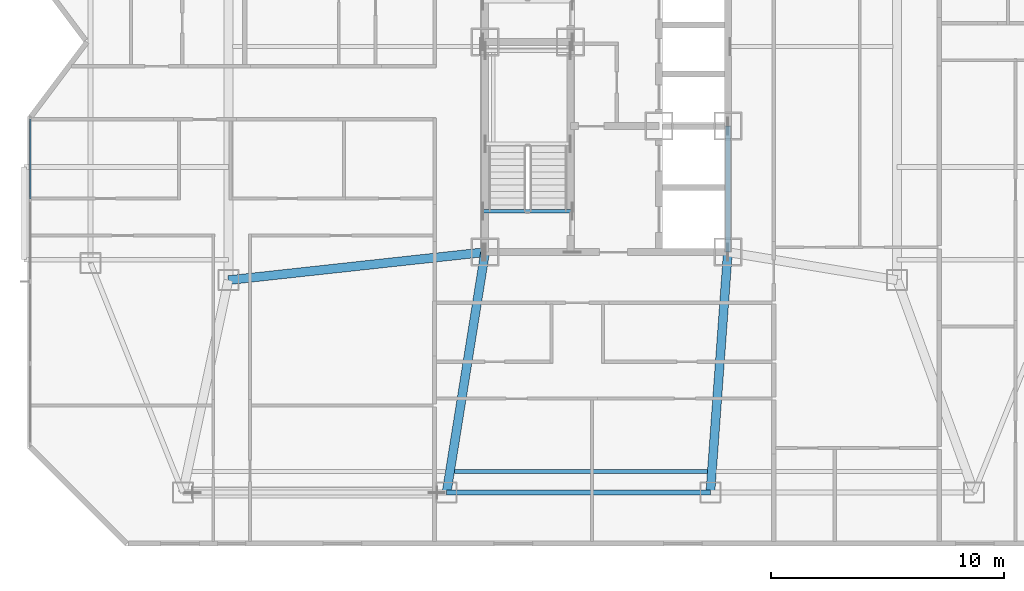
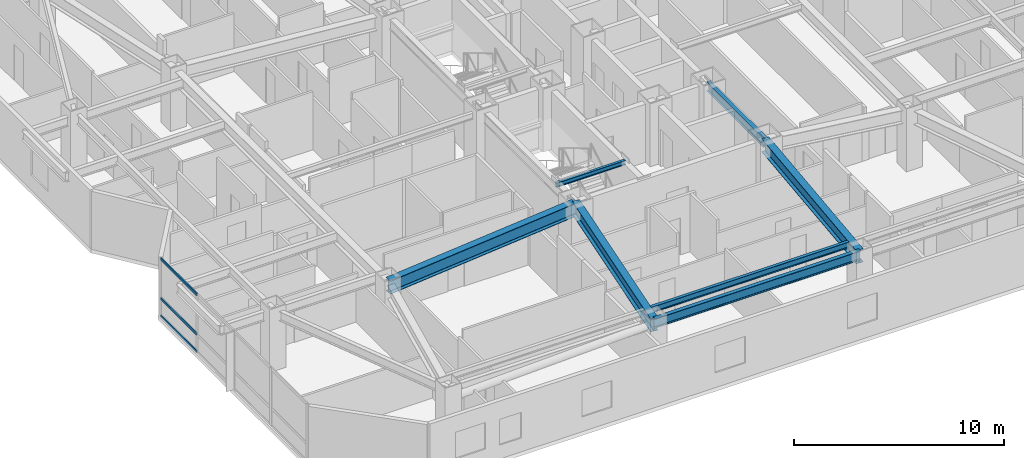
# One storey, part 5 of 17: 7 beams, 3 members, 1 element without a shape of its own.
"""IFC4 building model written with IfcOpenShell, lengths in metres."""

from ifc_helpers import new_model, si_unit, direction, frame, origin, origin_2d, place, context, subcontext, project, spatial, hollow_rectangle, i_section, extrude, material, material_profile, profile_set, type_object, element, aggregate, save


model = new_model("IFC4")

# Units and contexts
model_context = context("Model", 3, precision=1e-05, world=origin(), true_north=direction((0.0, 1.0)))
body_context = subcontext(model_context, "Body", "Model", "MODEL_VIEW")
ifc_project = project(units=[si_unit("LENGTHUNIT", "METRE"), si_unit("AREAUNIT", "SQUARE_METRE"), si_unit("VOLUMEUNIT", "CUBIC_METRE"), si_unit("PLANEANGLEUNIT", "RADIAN"), si_unit("MASSUNIT", "GRAM", prefix="KILO")], contexts=[model_context])

# Site, building, storey
site_placement = place(None, origin())
site = spatial("IfcSite", under=ifc_project, at=site_placement, CompositionType="ELEMENT")
building_placement = place(site_placement, origin())
building = spatial("IfcBuilding", under=site, at=building_placement, Name="Khamvora Tower", CompositionType="ELEMENT")
storey_placement = place(building_placement, frame((0.0, 0.0, 142.050048828125)))
storey = spatial("IfcBuildingStorey", under=building, at=storey_placement, Name="L36", CompositionType="ELEMENT", Elevation=142.050048828125)

# Beams
ifc_material_1 = material(Name="Steel S355", Category="steel")
ifc_material_profile_1 = material_profile(ifc_material_1, i_section(OverallWidth=0.1708984375, OverallDepth=0.35498046875, WebThickness=0.007080078125, FlangeThickness=0.011962890625, FilletRadius=0.010009765625, at=origin_2d()), Name="W360x51")
ifc_profile_set_1 = profile_set([ifc_material_profile_1], Name="Steel S355")
beam_type_1 = type_object("IfcBeamType", Name="BM-JS-W360x51", PredefinedType="JOIST", material=ifc_profile_set_1)
beam_1_placement = place(storey_placement, frame((27.681884765625, 9.60009765625, 3.19189453125), z_axis=(1.0, 0.0, 0.0), x_axis=(0.0, 1.0, 0.0)))
element("IfcBeam", 1, at=beam_1_placement, inside=storey, type_object=beam_type_1, Name="L36 secondary floor joist 02", PredefinedType="JOIST", context=body_context, shape_type="SweptSolid", body=[
    extrude(i_section(OverallWidth=0.1708984375, OverallDepth=0.35498046875, WebThickness=0.007080078125, FlangeThickness=0.011962890625, FilletRadius=0.010009765625, at=origin_2d()), origin(), (0.0, 0.0, 1.0), 10.84814453125),
])
ifc_material_profile_2 = material_profile(ifc_material_1, i_section(OverallWidth=0.14697265625, OverallDepth=0.261962890625, WebThickness=0.007080078125, FlangeThickness=0.010986328125, FilletRadius=0.008056640625, at=origin_2d()), Name="W250x39")
ifc_profile_set_2 = profile_set([ifc_material_profile_2], Name="Steel S355")
beam_type_2 = type_object("IfcBeamType", Name="BM-LN-W250x39", PredefinedType="LINTEL", material=ifc_profile_set_2)
beam_2_placement = place(storey_placement, frame((28.89990234375, 20.75, 3.243896484375), z_axis=(1.0, 0.0, 0.0), x_axis=(0.0, 1.0, 0.0)))
element("IfcBeam", 2, at=beam_2_placement, inside=storey, type_object=beam_type_2, Name="L36 exit stair ST-01 landing trimmer beam", PredefinedType="LINTEL", context=body_context, shape_type="SweptSolid", body=[
    extrude(i_section(OverallWidth=0.14697265625, OverallDepth=0.261962890625, WebThickness=0.007080078125, FlangeThickness=0.010986328125, FilletRadius=0.008056640625, at=origin_2d()), origin(), (0.0, 0.0, 1.0), 3.830078125),
])
ifc_material_profile_3 = material_profile(ifc_material_1, i_section(OverallWidth=0.381103515625, OverallDepth=0.77294921875, WebThickness=0.01708984375, FlangeThickness=0.027099609375, FilletRadius=0.01806640625, at=origin_2d()), Name="W760x257")
ifc_profile_set_3 = profile_set([ifc_material_profile_3], Name="Steel S355")
beam_type_3 = type_object("IfcBeamType", Name="BM-PG-W760x257", PredefinedType="BEAM", material=ifc_profile_set_3)
beam_3_placement = place(storey_placement, frame((29.0, 19.0, 2.98291015625), z_axis=(-0.158167584066, -0.987412282358, 0.0), x_axis=(0.987412282358, -0.158167584066, 0.0)))
element("IfcBeam", 3, at=beam_3_placement, inside=storey, type_object=beam_type_3, Name="L36 primary floor girder S2", PredefinedType="BEAM", context=body_context, shape_type="SweptSolid", body=[
    extrude(i_section(OverallWidth=0.381103515625, OverallDepth=0.77294921875, WebThickness=0.01708984375, FlangeThickness=0.027099609375, FilletRadius=0.01806640625, at=origin_2d()), origin(), (0.0, 0.0, 1.0), 10.431396484375),
])
beam_4_placement = place(storey_placement, frame((39.39990234375, 19.0, 2.98291015625), z_axis=(-0.07262291808, -0.997359469685, 0.0), x_axis=(0.997359469685, -0.07262291808, 0.0)))
element("IfcBeam", 4, at=beam_4_placement, inside=storey, type_object=beam_type_3, Name="L36 primary floor girder S3", PredefinedType="BEAM", context=body_context, shape_type="SweptSolid", body=[
    extrude(i_section(OverallWidth=0.381103515625, OverallDepth=0.77294921875, WebThickness=0.01708984375, FlangeThickness=0.027099609375, FilletRadius=0.01806640625, at=origin_2d()), origin(), (0.0, 0.0, 1.0), 10.327392578125),
])
beam_5_placement = place(storey_placement, frame((29.0, 19.0, 2.98291015625), z_axis=(-0.994102652327, -0.108443149329, 0.0), x_axis=(0.108443149329, -0.994102652327, 0.0)))
element("IfcBeam", 5, at=beam_5_placement, inside=storey, type_object=beam_type_3, Name="L36 primary floor girder MW1", PredefinedType="BEAM", context=body_context, shape_type="SweptSolid", body=[
    extrude(i_section(OverallWidth=0.381103515625, OverallDepth=0.77294921875, WebThickness=0.01708984375, FlangeThickness=0.027099609375, FilletRadius=0.01806640625, at=origin_2d()), origin(), (0.0, 0.0, 1.0), 11.065185546875),
])
ifc_material_profile_4 = material_profile(ifc_material_1, i_section(OverallWidth=0.2119140625, OverallDepth=0.5439453125, WebThickness=0.012939453125, FlangeThickness=0.02099609375, FilletRadius=0.013916015625, at=origin_2d()), Name="W530x123")
ifc_profile_set_4 = profile_set([ifc_material_profile_4], Name="Steel S355")
beam_type_4 = type_object("IfcBeamType", Name="BM-SP-W530x123", PredefinedType="SPANDREL", material=ifc_profile_set_4)
beam_6_placement = place(storey_placement, frame((27.35009765625, 8.699951171875, 3.097900390625), z_axis=(1.0, 0.0, 0.0), x_axis=(0.0, 1.0, 0.0)))
element("IfcBeam", 6, at=beam_6_placement, inside=storey, type_object=beam_type_4, Name="L36 perimeter spandrel beam S2-S3", PredefinedType="SPANDREL", context=body_context, shape_type="SweptSolid", body=[
    extrude(i_section(OverallWidth=0.2119140625, OverallDepth=0.5439453125, WebThickness=0.012939453125, FlangeThickness=0.02099609375, FilletRadius=0.013916015625, at=origin_2d()), origin(), (0.0, 0.0, 1.0), 11.2998046875),
])
ifc_material_profile_5 = material_profile(ifc_material_1, i_section(OverallWidth=0.208984375, OverallDepth=0.532958984375, WebThickness=0.010009765625, FlangeThickness=0.01611328125, FilletRadius=0.013916015625, at=origin_2d()), Name="W530x92")
ifc_profile_set_5 = profile_set([ifc_material_profile_5], Name="Steel S355")
beam_type_5 = type_object("IfcBeamType", Name="BM-SP-W530x92", PredefinedType="SPANDREL", material=ifc_profile_set_5)
beam_7_placement = place(storey_placement, frame((39.39990234375, 19.0, 3.10302734375), z_axis=(0.0, 1.0, 0.0), x_axis=(-1.0, 0.0, 0.0)))
element("IfcBeam", 7, at=beam_7_placement, inside=storey, type_object=beam_type_5, Name="L36 core spine girder ES", PredefinedType="SPANDREL", context=body_context, shape_type="SweptSolid", body=[
    extrude(i_section(OverallWidth=0.208984375, OverallDepth=0.532958984375, WebThickness=0.010009765625, FlangeThickness=0.01611328125, FilletRadius=0.013916015625, at=origin_2d()), origin(), (0.0, 0.0, 1.0), 5.39990234375),
])

# Curtain wall, members
ifc_material_2 = material(Name="Anodised Aluminium 6063-T6", Category="aluminium")
curtain_wall_type = type_object("IfcCurtainWallType", Name="CW-SYS-03", PredefinedType="NOTDEFINED", material=ifc_material_2)
curtain_wall_placement = place(storey_placement, origin())
curtain_wall = element("IfcCurtainWall", 8, at=curtain_wall_placement, inside=storey, type_object=curtain_wall_type, Name="L36 stick curtain wall 02.1", PredefinedType="NOTDEFINED")
ifc_material_profile_6 = material_profile(ifc_material_2, hollow_rectangle(XDim=0.06494140625, YDim=0.155029296875, WallThickness=0.0048828125, at=origin_2d()), Name="TRN65x155x5")
ifc_profile_set_6 = profile_set([ifc_material_profile_6], Name="Anodised Aluminium 6063-T6")
member_type = type_object("IfcMemberType", Name="CW-SYS-03-TRN", PredefinedType="USERDEFINED", material=ifc_profile_set_6)
member_1_placement = place(storey_placement, frame((9.510009765625, 21.283935546875, 0.032470703125), z_axis=(0.0, 1.0, 0.0), x_axis=(-1.0, 0.0, 0.0)))
member_1 = element("IfcMember", 9, at=member_1_placement, type_object=member_type, Name="CW-03 transom 4.1", ObjectType="TRANSOM", PredefinedType="USERDEFINED", context=body_context, shape_type="SweptSolid", body=[
    extrude(hollow_rectangle(XDim=0.06494140625, YDim=0.155029296875, WallThickness=0.0048828125, at=origin_2d()), origin(), (0.0, 0.0, 1.0), 3.4140625),
])
member_2_placement = place(storey_placement, frame((9.510009765625, 21.283935546875, 1.050048828125), z_axis=(0.0, 1.0, 0.0), x_axis=(-1.0, 0.0, 0.0)))
member_2 = element("IfcMember", 10, at=member_2_placement, type_object=member_type, Name="CW-03 transom 4.2", ObjectType="TRANSOM", PredefinedType="USERDEFINED", context=body_context, shape_type="SweptSolid", body=[
    extrude(hollow_rectangle(XDim=0.06494140625, YDim=0.155029296875, WallThickness=0.0048828125, at=origin_2d()), origin(), (0.0, 0.0, 1.0), 3.4140625),
])
member_3_placement = place(storey_placement, frame((9.510009765625, 21.283935546875, 3.33740234375), z_axis=(0.0, 1.0, 0.0), x_axis=(-1.0, 0.0, 0.0)))
member_3 = element("IfcMember", 11, at=member_3_placement, type_object=member_type, Name="CW-03 transom 4.3", ObjectType="TRANSOM", PredefinedType="USERDEFINED", context=body_context, shape_type="SweptSolid", body=[
    extrude(hollow_rectangle(XDim=0.06494140625, YDim=0.155029296875, WallThickness=0.0048828125, at=origin_2d()), origin(), (0.0, 0.0, 1.0), 3.4140625),
])
aggregate(curtain_wall, [member_1, member_2, member_3])

save(model, "model.ifc")
